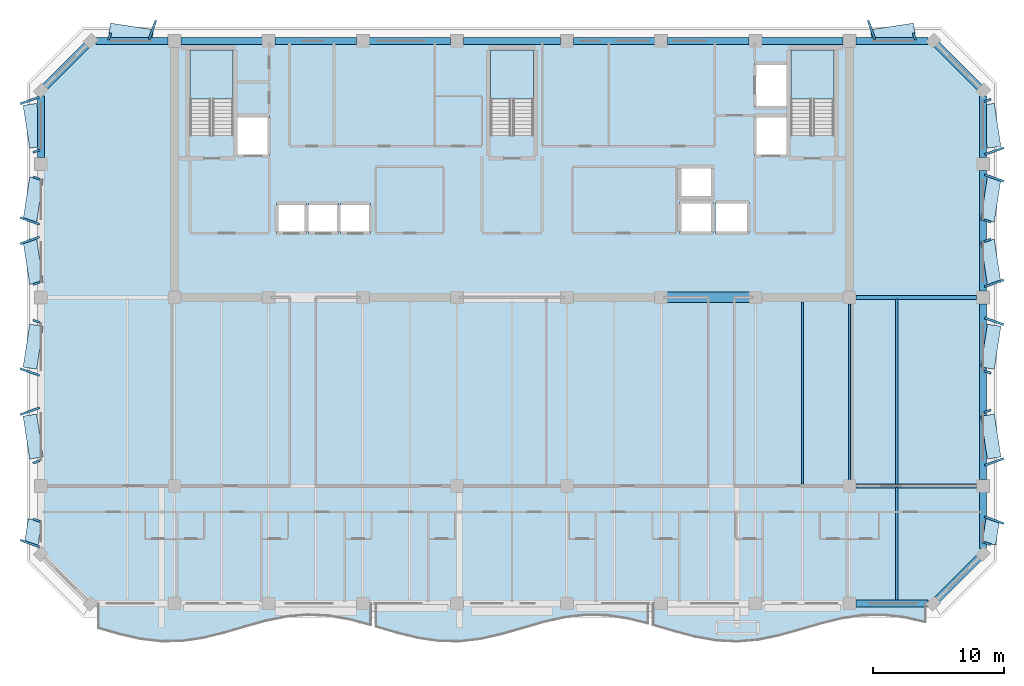
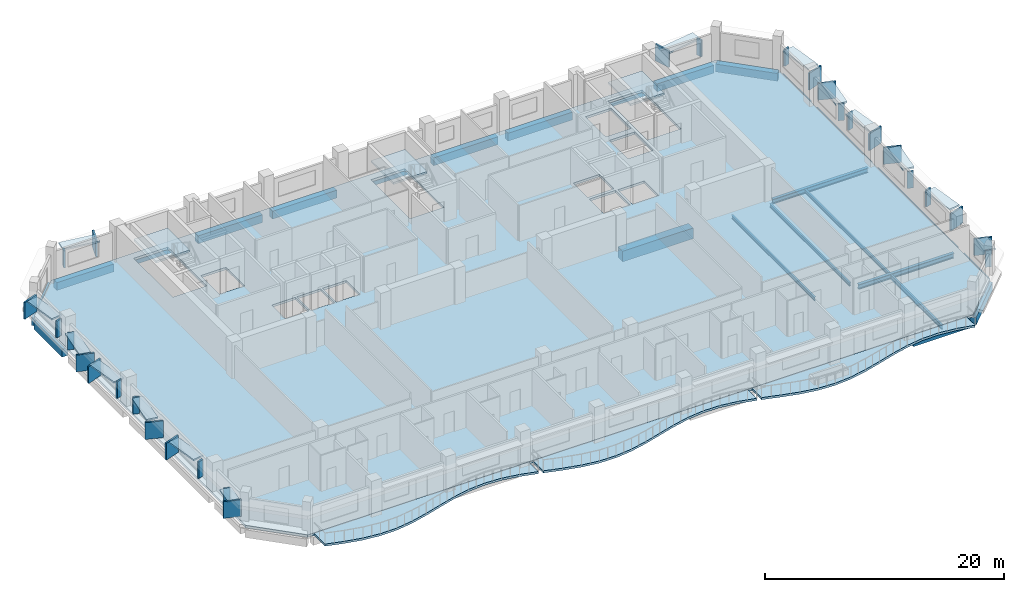
# One storey, part 2 of 11: 42 plates, 25 beams, 7 slabs, 3 elements without a shape of their own.
"""IFC4 building model written with IfcOpenShell, lengths in metres."""

from ifc_helpers import new_model, si_unit, direction, frame, origin, origin_2d, place, context, subcontext, project, spatial, polyline, rectangle, i_section, outline, extrude, material, layer, layer_set, material_profile, profile_set, type_object, element, aggregate, save


model = new_model("IFC4")

# Units and contexts
model_context = context("Model", 3, precision=1e-05, world=origin(), true_north=direction((0.0, 1.0)))
body_context = subcontext(model_context, "Body", "Model", "MODEL_VIEW")
ifc_project = project(units=[si_unit("LENGTHUNIT", "METRE"), si_unit("AREAUNIT", "SQUARE_METRE"), si_unit("VOLUMEUNIT", "CUBIC_METRE"), si_unit("PLANEANGLEUNIT", "RADIAN"), si_unit("MASSUNIT", "GRAM", prefix="KILO")], contexts=[model_context])

# Site, building, storey
site_placement = place(None, origin())
site = spatial("IfcSite", under=ifc_project, at=site_placement, CompositionType="ELEMENT")
building_placement = place(site_placement, origin())
building = spatial("IfcBuilding", under=site, at=building_placement, Name="Kaelvorn Grand Hotel", CompositionType="ELEMENT")
storey_placement = place(building_placement, frame((0.0, 0.0, 241.0)))
storey = spatial("IfcBuildingStorey", under=building, at=storey_placement, Name="L59", CompositionType="ELEMENT", Elevation=241.0)

# Beams
ifc_material_1 = material(Name="Steel S355", Category="steel")
ifc_material_profile_1 = material_profile(ifc_material_1, i_section(OverallWidth=0.300048828125, OverallDepth=0.5, WebThickness=0.014404296875, FlangeThickness=0.028076171875, FilletRadius=0.027099609375, at=origin_2d()), Name="HEB 500")
ifc_profile_set_1 = profile_set([ifc_material_profile_1], Name="Steel S355")
beam_type_1 = type_object("IfcBeamType", Name="BM-G-HEB500-S355", PredefinedType="BEAM", material=ifc_profile_set_1)
for number, where, z_axis, x_axis, name in (
    (1, (68.284912109375, 15.0, -0.489990234375), (1.0, 0.0, 0.0), (0.0, 1.0, 0.0), "L59 Primary Spine Steel Girder G-15 05"),
    (2, (68.284912109375, 29.39990234375, -0.489990234375), (1.0, 0.0, 0.0), (0.0, 1.0, 0.0), "L59 East Core Wing Steel Girder G-29E 01"),
):
    element("IfcBeam", number, at=place(storey_placement, frame(where, z_axis=z_axis, x_axis=x_axis)), inside=storey, type_object=beam_type_1, Name=name, PredefinedType="BEAM", context=body_context, shape_type="SweptSolid", body=[
        extrude(i_section(OverallWidth=0.300048828125, OverallDepth=0.5, WebThickness=0.014404296875, FlangeThickness=0.028076171875, FilletRadius=0.027099609375, at=origin_2d()), origin(), (0.0, 0.0, 1.0), 9.22998046875),
    ])
ifc_material_profile_2 = material_profile(ifc_material_1, i_section(OverallWidth=0.169921875, OverallDepth=0.360107421875, WebThickness=0.008056640625, FlangeThickness=0.0126953125, FilletRadius=0.01806640625, at=origin_2d()), Name="IPE 360")
ifc_profile_set_2 = profile_set([ifc_material_profile_2], Name="Steel S355")
beam_type_2 = type_object("IfcBeamType", Name="BM-J-IPE360-S355", PredefinedType="JOIST", material=ifc_profile_set_2)
beam_1_placement = place(storey_placement, frame((64.199951171875, 15.135009765625, -0.419921875), z_axis=(0.0, 1.0, 0.0), x_axis=(-1.0, 0.0, 0.0)))
element("IfcBeam", 3, at=beam_1_placement, inside=storey, type_object=beam_type_2, Name="L59 Composite Floor Joist JM-18", PredefinedType="JOIST", context=body_context, shape_type="SweptSolid", body=[
    extrude(i_section(OverallWidth=0.169921875, OverallDepth=0.360107421875, WebThickness=0.008056640625, FlangeThickness=0.0126953125, FilletRadius=0.01806640625, at=origin_2d()), origin(), (0.0, 0.0, 1.0), 13.925048828125),
])
beam_2_placement = place(storey_placement, frame((67.800048828125, 15.485107421875, -0.419921875), z_axis=(0.0, 1.0, 0.0), x_axis=(-1.0, 0.0, 0.0)))
element("IfcBeam", 4, at=beam_2_placement, inside=storey, type_object=beam_type_2, Name="L59 Composite Floor Joist JM-19", PredefinedType="JOIST", context=body_context, shape_type="SweptSolid", body=[
    extrude(i_section(OverallWidth=0.169921875, OverallDepth=0.360107421875, WebThickness=0.008056640625, FlangeThickness=0.0126953125, FilletRadius=0.01806640625, at=origin_2d()), origin(), (0.0, 0.0, 1.0), 13.429931640625),
])
beam_3_placement = place(storey_placement, frame((71.39990234375, 15.135009765625, -0.419921875), z_axis=(0.0, 1.0, 0.0), x_axis=(-1.0, 0.0, 0.0)))
element("IfcBeam", 5, at=beam_3_placement, inside=storey, type_object=beam_type_2, Name="L59 Composite Floor Joist JM-20", PredefinedType="JOIST", context=body_context, shape_type="SweptSolid", body=[
    extrude(i_section(OverallWidth=0.169921875, OverallDepth=0.360107421875, WebThickness=0.008056640625, FlangeThickness=0.0126953125, FilletRadius=0.01806640625, at=origin_2d()), origin(), (0.0, 0.0, 1.0), 14.1298828125),
])
ifc_material_profile_3 = material_profile(ifc_material_1, i_section(OverallWidth=0.18994140625, OverallDepth=0.449951171875, WebThickness=0.009521484375, FlangeThickness=0.0146484375, FilletRadius=0.02099609375, at=origin_2d()), Name="IPE 450")
ifc_profile_set_3 = profile_set([ifc_material_profile_3], Name="Steel S355")
beam_type_3 = type_object("IfcBeamType", Name="BM-J-IPE450-S355", PredefinedType="JOIST", material=ifc_profile_set_3)
beam_4_placement = place(storey_placement, frame((71.39990234375, 6.260009765625, -0.465087890625), z_axis=(0.0, 1.0, 0.0), x_axis=(-1.0, 0.0, 0.0)))
element("IfcBeam", 6, at=beam_4_placement, inside=storey, type_object=beam_type_3, Name="L59 Composite Floor Joist JS-20", PredefinedType="JOIST", context=body_context, shape_type="SweptSolid", body=[
    extrude(i_section(OverallWidth=0.18994140625, OverallDepth=0.449951171875, WebThickness=0.009521484375, FlangeThickness=0.0146484375, FilletRadius=0.02099609375, at=origin_2d()), origin(), (0.0, 0.0, 1.0), 8.60498046875),
])
ifc_material_2 = material(Name="Concrete C60/75", Category="concrete")
ifc_material_profile_4 = material_profile(ifc_material_2, rectangle(XDim=0.800048828125, YDim=1.10009765625, at=origin_2d()), Name="RC LINTEL 800x1100")
ifc_profile_set_4 = profile_set([ifc_material_profile_4], Name="Concrete C60/75")
beam_type_4 = type_object("IfcBeamType", Name="BM-LIN-800x1100-C60", PredefinedType="LINTEL", material=ifc_profile_set_4)
beam_5_placement = place(storey_placement, frame((53.580078125, 29.39990234375, -0.7900390625), z_axis=(1.0, 0.0, 0.0), x_axis=(0.0, 1.0, 0.0)))
element("IfcBeam", 7, at=beam_5_placement, inside=storey, type_object=beam_type_4, Name="L59 Rear-Core Coupling Lintel Beam CB1-03", PredefinedType="LINTEL", context=body_context, shape_type="SweptSolid", body=[
    extrude(rectangle(XDim=0.800048828125, YDim=1.10009765625, at=origin_2d()), origin(), (0.0, 0.0, 1.0), 6.83984375),
])
ifc_material_3 = material(Name="Concrete C50/60", Category="concrete")
ifc_material_profile_5 = material_profile(ifc_material_3, rectangle(XDim=0.550048828125, YDim=0.800048828125, at=origin_2d()), Name="RC SPANDREL 550x800")
ifc_profile_set_5 = profile_set([ifc_material_profile_5], Name="Concrete C50/60")
beam_type_5 = type_object("IfcBeamType", Name="BM-SP-550x800-C50", PredefinedType="SPANDREL", material=ifc_profile_set_5)
for number, where, z_axis, x_axis, name in (
    (8, (68.284912109375, 6.0, -0.639892578125), (1.0, 0.0, 0.0), (0.0, 1.0, 0.0), "L59 South Perimeter Spandrel 09"),
    (9, (10.205078125, 49.0, -0.639892578125), (1.0, 0.0, 0.0), (0.0, 1.0, 0.0), "L59 North Perimeter Spandrel 01"),
):
    element("IfcBeam", number, at=place(storey_placement, frame(where, z_axis=z_axis, x_axis=x_axis)), inside=storey, type_object=beam_type_5, Name=name, PredefinedType="SPANDREL", context=body_context, shape_type="SweptSolid", body=[
        extrude(rectangle(XDim=0.550048828125, YDim=0.800048828125, at=origin_2d()), origin(), (0.0, 0.0, 1.0), 5.510009765625),
    ])
for number, where, z_axis, x_axis, name in (
    (10, (16.68505859375, 49.0, -0.639892578125), (1.0, 0.0, 0.0), (0.0, 1.0, 0.0), "L59 North Perimeter Spandrel 02"),
    (11, (23.885009765625, 49.0, -0.639892578125), (1.0, 0.0, 0.0), (0.0, 1.0, 0.0), "L59 North Perimeter Spandrel 03"),
    (12, (31.0849609375, 49.0, -0.639892578125), (1.0, 0.0, 0.0), (0.0, 1.0, 0.0), "L59 North Perimeter Spandrel 04"),
):
    element("IfcBeam", number, at=place(storey_placement, frame(where, z_axis=z_axis, x_axis=x_axis)), inside=storey, type_object=beam_type_5, Name=name, PredefinedType="SPANDREL", context=body_context, shape_type="SweptSolid", body=[
        extrude(rectangle(XDim=0.550048828125, YDim=0.800048828125, at=origin_2d()), origin(), (0.0, 0.0, 1.0), 6.22998046875),
    ])
beam_6_placement = place(storey_placement, frame((38.284912109375, 49.0, -0.639892578125), z_axis=(1.0, 0.0, 0.0), x_axis=(0.0, 1.0, 0.0)))
element("IfcBeam", 13, at=beam_6_placement, inside=storey, type_object=beam_type_5, Name="L59 North Perimeter Spandrel 05", PredefinedType="SPANDREL", context=body_context, shape_type="SweptSolid", body=[
    extrude(rectangle(XDim=0.550048828125, YDim=0.800048828125, at=origin_2d()), origin(), (0.0, 0.0, 1.0), 7.43017578125),
])
for number, where, z_axis, x_axis, name in (
    (14, (46.68505859375, 49.0, -0.639892578125), (1.0, 0.0, 0.0), (0.0, 1.0, 0.0), "L59 North Perimeter Spandrel 06"),
    (15, (53.885009765625, 49.0, -0.639892578125), (1.0, 0.0, 0.0), (0.0, 1.0, 0.0), "L59 North Perimeter Spandrel 07"),
    (16, (61.0849609375, 49.0, -0.639892578125), (1.0, 0.0, 0.0), (0.0, 1.0, 0.0), "L59 North Perimeter Spandrel 08"),
):
    element("IfcBeam", number, at=place(storey_placement, frame(where, z_axis=z_axis, x_axis=x_axis)), inside=storey, type_object=beam_type_5, Name=name, PredefinedType="SPANDREL", context=body_context, shape_type="SweptSolid", body=[
        extrude(rectangle(XDim=0.550048828125, YDim=0.800048828125, at=origin_2d()), origin(), (0.0, 0.0, 1.0), 6.22998046875),
    ])
beam_7_placement = place(storey_placement, frame((68.284912109375, 49.0, -0.639892578125), z_axis=(1.0, 0.0, 0.0), x_axis=(0.0, 1.0, 0.0)))
element("IfcBeam", 17, at=beam_7_placement, inside=storey, type_object=beam_type_5, Name="L59 North Perimeter Spandrel 09", PredefinedType="SPANDREL", context=body_context, shape_type="SweptSolid", body=[
    extrude(rectangle(XDim=0.550048828125, YDim=0.800048828125, at=origin_2d()), origin(), (0.0, 0.0, 1.0), 5.510009765625),
])
beam_8_placement = place(storey_placement, frame((6.0, 40.0849609375, -0.639892578125), z_axis=(0.0, 1.0, 0.0), x_axis=(-1.0, 0.0, 0.0)))
element("IfcBeam", 18, at=beam_8_placement, inside=storey, type_object=beam_type_5, Name="L59 West Perimeter Spandrel 04", PredefinedType="SPANDREL", context=body_context, shape_type="SweptSolid", body=[
    extrude(rectangle(XDim=0.550048828125, YDim=0.800048828125, at=origin_2d()), origin(), (0.0, 0.0, 1.0), 4.7099609375),
])
beam_9_placement = place(storey_placement, frame((78.0, 10.205078125, -0.639892578125), z_axis=(0.0, 1.0, 0.0), x_axis=(-1.0, 0.0, 0.0)))
element("IfcBeam", 19, at=beam_9_placement, inside=storey, type_object=beam_type_5, Name="L59 East Perimeter Spandrel 01", PredefinedType="SPANDREL", context=body_context, shape_type="SweptSolid", body=[
    extrude(rectangle(XDim=0.550048828125, YDim=0.800048828125, at=origin_2d()), origin(), (0.0, 0.0, 1.0), 4.309814453125),
])
beam_10_placement = place(storey_placement, frame((78.0, 15.485107421875, -0.639892578125), z_axis=(0.0, 1.0, 0.0), x_axis=(-1.0, 0.0, 0.0)))
element("IfcBeam", 20, at=beam_10_placement, inside=storey, type_object=beam_type_5, Name="L59 East Perimeter Spandrel 02", PredefinedType="SPANDREL", context=body_context, shape_type="SweptSolid", body=[
    extrude(rectangle(XDim=0.550048828125, YDim=0.800048828125, at=origin_2d()), origin(), (0.0, 0.0, 1.0), 13.429931640625),
])
beam_11_placement = place(storey_placement, frame((78.0, 29.885009765625, -0.639892578125), z_axis=(0.0, 1.0, 0.0), x_axis=(-1.0, 0.0, 0.0)))
element("IfcBeam", 21, at=beam_11_placement, inside=storey, type_object=beam_type_5, Name="L59 East Perimeter Spandrel 03", PredefinedType="SPANDREL", context=body_context, shape_type="SweptSolid", body=[
    extrude(rectangle(XDim=0.550048828125, YDim=0.800048828125, at=origin_2d()), origin(), (0.0, 0.0, 1.0), 9.22998046875),
])
beam_12_placement = place(storey_placement, frame((78.0, 40.0849609375, -0.639892578125), z_axis=(0.0, 1.0, 0.0), x_axis=(-1.0, 0.0, 0.0)))
element("IfcBeam", 22, at=beam_12_placement, inside=storey, type_object=beam_type_5, Name="L59 East Perimeter Spandrel 04", PredefinedType="SPANDREL", context=body_context, shape_type="SweptSolid", body=[
    extrude(rectangle(XDim=0.550048828125, YDim=0.800048828125, at=origin_2d()), origin(), (0.0, 0.0, 1.0), 4.7099609375),
])
for number, where, z_axis, x_axis, name in (
    (23, (74.199951171875, 6.0, -0.639892578125), (0.707106781187, 0.707106781187, 0.0), (-0.707106781187, 0.707106781187, 0.0), "L59 Chamfer Spandrel Beam 1"),
    (24, (78.0, 45.199951171875, -0.639892578125), (-0.707106781187, 0.707106781187, 0.0), (-0.707106781187, -0.707106781187, 0.0), "L59 Chamfer Spandrel Beam 2"),
    (25, (9.800048828125, 49.0, -0.639892578125), (-0.707106781187, -0.707106781187, 0.0), (0.707106781187, -0.707106781187, 0.0), "L59 Chamfer Spandrel Beam 3"),
):
    element("IfcBeam", number, at=place(storey_placement, frame(where, z_axis=z_axis, x_axis=x_axis)), inside=storey, type_object=beam_type_5, Name=name, PredefinedType="SPANDREL", context=body_context, shape_type="SweptSolid", body=[
        extrude(rectangle(XDim=0.550048828125, YDim=0.800048828125, at=origin_2d()), origin(), (0.0, 0.0, 1.0), 5.3740234375),
    ])

# Plates
ifc_material_4 = material(Name="Precast concrete C45/55", Category="concrete")
ifc_layer_1 = layer(ifc_material_4, 0.159912109375)
ifc_layer_set_1 = layer_set([ifc_layer_1], Name="Precast concrete C45/55")
plate_type_1 = type_object("IfcPlateType", Name="PL-FRAME-DEEP-1550", PredefinedType="USERDEFINED", material=ifc_layer_set_1)
for number, where, z_axis, x_axis, name in (
    (26, (78.844970703125, 12.375, 0.68994140625), (0.0, 0.0, 1.0), (0.333806859234, 0.942641491092, 0.0), "L59 Tilted Precast Window Frame Fin R-E01"),
    (27, (78.844970703125, 16.824951171875, 0.81494140625), (0.0, 0.0, 1.0), (-0.333806859234, 0.942641491092, 0.0), "L59 Tilted Precast Window Frame Fin L-E02"),
    (28, (78.844970703125, 27.574951171875, 0.81494140625), (0.0, 0.0, 1.0), (0.333806859234, 0.942641491092, 0.0), "L59 Tilted Precast Window Frame Fin R-E03"),
    (29, (78.844970703125, 30.47509765625, 0.740234375), (0.0, 0.0, 1.0), (-0.333806859234, 0.942641491092, 0.0), "L59 Tilted Precast Window Frame Fin L-E04"),
    (30, (78.844970703125, 38.52490234375, 0.740234375), (0.0, 0.0, 1.0), (0.333806859234, 0.942641491092, 0.0), "L59 Tilted Precast Window Frame Fin R-E05"),
    (31, (78.844970703125, 40.574951171875, 0.81494140625), (0.0, 0.0, 1.0), (-0.333806859234, 0.942641491092, 0.0), "L59 Tilted Precast Window Frame Fin L-E06"),
    (32, (5.155029296875, 10.594970703125, 0.68994140625), (0.0, 0.0, 1.0), (0.333806859234, 0.942641491092, 0.0), "L59 Tilted Precast Window Frame Fin L-W01"),
    (33, (5.155029296875, 20.705078125, 0.81494140625), (0.0, 0.0, 1.0), (-0.333806859234, 0.942641491092, 0.0), "L59 Tilted Precast Window Frame Fin R-W02"),
    (34, (5.155029296875, 23.695068359375, 0.81494140625), (0.0, 0.0, 1.0), (0.333806859234, 0.942641491092, 0.0), "L59 Tilted Precast Window Frame Fin L-W03"),
    (35, (5.155029296875, 33.7548828125, 0.740234375), (0.0, 0.0, 1.0), (-0.333806859234, 0.942641491092, 0.0), "L59 Tilted Precast Window Frame Fin R-W04"),
    (36, (5.155029296875, 35.2451171875, 0.740234375), (0.0, 0.0, 1.0), (0.333806859234, 0.942641491092, 0.0), "L59 Tilted Precast Window Frame Fin L-W05"),
    (37, (5.155029296875, 44.455078125, 0.81494140625), (0.0, 0.0, 1.0), (-0.333806859234, 0.942641491092, 0.0), "L59 Tilted Precast Window Frame Fin R-W06"),
    (38, (14.52490234375, 49.844970703125, 0.740234375), (0.0, 0.0, 1.0), (0.942641491092, -0.333806859234, 0.0), "L59 Tilted Precast Window Frame Fin R-N01"),
    (39, (69.47509765625, 49.844970703125, 0.740234375), (0.0, 0.0, 1.0), (0.942641491092, 0.333806859234, 0.0), "L59 Tilted Precast Window Frame Fin L-N02"),
):
    element("IfcPlate", number, at=place(storey_placement, frame(where, z_axis=z_axis, x_axis=x_axis)), inside=storey, type_object=plate_type_1, Name=name, ObjectType="FLANGE_PLATE", PredefinedType="USERDEFINED", context=body_context, shape_type="SweptSolid", body=[
        extrude(rectangle(XDim=0.159912109375, YDim=1.550048828125, at=origin_2d()), origin(), (0.0, 0.0, 1.0), 1.719970703125),
    ])
ifc_layer_2 = layer(ifc_material_4, 0.159912109375)
ifc_layer_set_2 = layer_set([ifc_layer_2], Name="Precast concrete C45/55")
plate_type_2 = type_object("IfcPlateType", Name="PL-FRAME-HEAD-1050", PredefinedType="USERDEFINED", material=ifc_layer_set_2)
plate_1_placement = place(storey_placement, frame((78.594970703125, 11.485107421875, 2.25), z_axis=(0.0, 0.0, 1.0), x_axis=(0.152554625759, 0.988295040036, 0.0)))
element("IfcPlate", 40, at=plate_1_placement, inside=storey, type_object=plate_type_2, Name="L59 Precast Window Frame Head Hood H-E01", ObjectType="FLANGE_PLATE", PredefinedType="USERDEFINED", context=body_context, shape_type="SweptSolid", body=[
    extrude(rectangle(XDim=1.860107421875, YDim=1.050048828125, at=origin_2d()), origin(), (0.0, 0.0, 1.0), 0.159912109375),
])
for number, where, z_axis, x_axis, name in (
    (41, (78.594970703125, 18.764892578125, 2.5), (0.0, 0.0, 1.0), (-0.152554625759, 0.988295040036, 0.0), "L59 Precast Window Frame Head Hood H-E02"),
    (42, (78.594970703125, 25.635009765625, 2.5), (0.0, 0.0, 1.0), (0.152554625759, 0.988295040036, 0.0), "L59 Precast Window Frame Head Hood H-E03"),
    (43, (78.594970703125, 32.114990234375, 2.35009765625), (0.0, 0.0, 1.0), (-0.152554625759, 0.988295040036, 0.0), "L59 Precast Window Frame Head Hood H-E04"),
    (44, (78.594970703125, 36.885009765625, 2.35009765625), (0.0, 0.0, 1.0), (0.152554625759, 0.988295040036, 0.0), "L59 Precast Window Frame Head Hood H-E05"),
    (45, (78.594970703125, 42.514892578125, 2.5), (0.0, 0.0, 1.0), (-0.152554625759, 0.988295040036, 0.0), "L59 Precast Window Frame Head Hood H-E06"),
):
    element("IfcPlate", number, at=place(storey_placement, frame(where, z_axis=z_axis, x_axis=x_axis)), inside=storey, type_object=plate_type_2, Name=name, ObjectType="FLANGE_PLATE", PredefinedType="USERDEFINED", context=body_context, shape_type="SweptSolid", body=[
        extrude(rectangle(XDim=3.320068359375, YDim=1.050048828125, at=origin_2d()), origin(), (0.0, 0.0, 1.0), 0.159912109375),
    ])
plate_2_placement = place(storey_placement, frame((5.405029296875, 11.485107421875, 2.25), z_axis=(0.0, 0.0, 1.0), x_axis=(0.152554625759, 0.988295040036, 0.0)))
element("IfcPlate", 46, at=plate_2_placement, inside=storey, type_object=plate_type_2, Name="L59 Precast Window Frame Head Hood H-W01", ObjectType="FLANGE_PLATE", PredefinedType="USERDEFINED", context=body_context, shape_type="SweptSolid", body=[
    extrude(rectangle(XDim=1.860107421875, YDim=1.050048828125, at=origin_2d()), origin(), (0.0, 0.0, 1.0), 0.159912109375),
])
for number, where, z_axis, x_axis, name in (
    (47, (5.405029296875, 18.764892578125, 2.5), (0.0, 0.0, 1.0), (-0.152554625759, 0.988295040036, 0.0), "L59 Precast Window Frame Head Hood H-W02"),
    (48, (5.405029296875, 25.635009765625, 2.5), (0.0, 0.0, 1.0), (0.152554625759, 0.988295040036, 0.0), "L59 Precast Window Frame Head Hood H-W03"),
    (49, (5.405029296875, 32.114990234375, 2.35009765625), (0.0, 0.0, 1.0), (-0.152554625759, 0.988295040036, 0.0), "L59 Precast Window Frame Head Hood H-W04"),
    (50, (5.405029296875, 36.885009765625, 2.35009765625), (0.0, 0.0, 1.0), (0.152554625759, 0.988295040036, 0.0), "L59 Precast Window Frame Head Hood H-W05"),
    (51, (5.405029296875, 42.514892578125, 2.5), (0.0, 0.0, 1.0), (-0.152554625759, 0.988295040036, 0.0), "L59 Precast Window Frame Head Hood H-W06"),
    (52, (12.885009765625, 49.594970703125, 2.35009765625), (0.0, 0.0, 1.0), (0.988295040036, -0.152554625759, 0.0), "L59 Precast Window Frame Head Hood H-N01"),
    (53, (71.114990234375, 49.594970703125, 2.35009765625), (0.0, 0.0, 1.0), (0.988295040036, 0.152554625759, 0.0), "L59 Precast Window Frame Head Hood H-N02"),
):
    element("IfcPlate", number, at=place(storey_placement, frame(where, z_axis=z_axis, x_axis=x_axis)), inside=storey, type_object=plate_type_2, Name=name, ObjectType="FLANGE_PLATE", PredefinedType="USERDEFINED", context=body_context, shape_type="SweptSolid", body=[
        extrude(rectangle(XDim=3.320068359375, YDim=1.050048828125, at=origin_2d()), origin(), (0.0, 0.0, 1.0), 0.159912109375),
    ])
ifc_layer_3 = layer(ifc_material_4, 0.159912109375)
ifc_layer_set_3 = layer_set([ifc_layer_3], Name="Precast concrete C45/55")
plate_type_3 = type_object("IfcPlateType", Name="PL-FRAME-SHAL-550", PredefinedType="USERDEFINED", material=ifc_layer_set_3)
for number, where, z_axis, x_axis, name in (
    (54, (78.344970703125, 10.594970703125, 0.68994140625), (0.0, 0.0, 1.0), (0.333806859234, 0.942641491092, 0.0), "L59 Tilted Precast Window Frame Fin L-E01"),
    (55, (78.344970703125, 20.705078125, 0.81494140625), (0.0, 0.0, 1.0), (-0.333806859234, 0.942641491092, 0.0), "L59 Tilted Precast Window Frame Fin R-E02"),
    (56, (78.344970703125, 23.695068359375, 0.81494140625), (0.0, 0.0, 1.0), (0.333806859234, 0.942641491092, 0.0), "L59 Tilted Precast Window Frame Fin L-E03"),
    (57, (78.344970703125, 33.7548828125, 0.740234375), (0.0, 0.0, 1.0), (-0.333806859234, 0.942641491092, 0.0), "L59 Tilted Precast Window Frame Fin R-E04"),
    (58, (78.344970703125, 35.2451171875, 0.740234375), (0.0, 0.0, 1.0), (0.333806859234, 0.942641491092, 0.0), "L59 Tilted Precast Window Frame Fin L-E05"),
    (59, (78.344970703125, 44.455078125, 0.81494140625), (0.0, 0.0, 1.0), (-0.333806859234, 0.942641491092, 0.0), "L59 Tilted Precast Window Frame Fin R-E06"),
    (60, (5.655029296875, 12.375, 0.68994140625), (0.0, 0.0, 1.0), (0.333806859234, 0.942641491092, 0.0), "L59 Tilted Precast Window Frame Fin R-W01"),
    (61, (5.655029296875, 16.824951171875, 0.81494140625), (0.0, 0.0, 1.0), (-0.333806859234, 0.942641491092, 0.0), "L59 Tilted Precast Window Frame Fin L-W02"),
    (62, (5.655029296875, 27.574951171875, 0.81494140625), (0.0, 0.0, 1.0), (0.333806859234, 0.942641491092, 0.0), "L59 Tilted Precast Window Frame Fin R-W03"),
    (63, (5.655029296875, 30.47509765625, 0.740234375), (0.0, 0.0, 1.0), (-0.333806859234, 0.942641491092, 0.0), "L59 Tilted Precast Window Frame Fin L-W04"),
    (64, (5.655029296875, 38.52490234375, 0.740234375), (0.0, 0.0, 1.0), (0.333806859234, 0.942641491092, 0.0), "L59 Tilted Precast Window Frame Fin R-W05"),
    (65, (5.655029296875, 40.574951171875, 0.81494140625), (0.0, 0.0, 1.0), (-0.333806859234, 0.942641491092, 0.0), "L59 Tilted Precast Window Frame Fin L-W06"),
    (66, (11.2451171875, 49.344970703125, 0.740234375), (0.0, 0.0, 1.0), (0.942641491092, -0.333806859234, 0.0), "L59 Tilted Precast Window Frame Fin L-N01"),
    (67, (72.7548828125, 49.344970703125, 0.740234375), (0.0, 0.0, 1.0), (0.942641491092, 0.333806859234, 0.0), "L59 Tilted Precast Window Frame Fin R-N02"),
):
    element("IfcPlate", number, at=place(storey_placement, frame(where, z_axis=z_axis, x_axis=x_axis)), inside=storey, type_object=plate_type_3, Name=name, ObjectType="FLANGE_PLATE", PredefinedType="USERDEFINED", context=body_context, shape_type="SweptSolid", body=[
        extrude(rectangle(XDim=0.159912109375, YDim=0.550048828125, at=origin_2d()), origin(), (0.0, 0.0, 1.0), 1.719970703125),
    ])

# Slabs
ifc_material_5 = material(Name="Concrete C40/50", Category="concrete")
ifc_layer_4 = layer(ifc_material_5, 0.219970703125)
ifc_layer_set_4 = layer_set([ifc_layer_4], Name="Concrete C40/50")
slab_type_1 = type_object("IfcSlabType", Name="SLB-BALC-220-C40", PredefinedType="FLOOR", material=ifc_layer_set_4)
slab_1_placement = place(storey_placement, frame((0.0, 0.0, -0.219970703125)))
element("IfcSlab", 68, at=slab_1_placement, inside=storey, type_object=slab_type_1, Name="L59 Scalloped Wave Balcony Slab 1", PredefinedType="FLOOR", context=body_context, shape_type="SweptSolid", body=[
    extrude(outline(polyline([(10.39990234375, 4.125), (12.0, 3.6650390625), (13.60009765625, 3.302734375), (15.199951171875, 3.115478515625), (16.800048828125, 3.14306640625), (18.39990234375, 3.37939453125), (20.0, 3.7744140625), (21.60009765625, 4.243896484375), (23.199951171875, 4.688232421875), (24.800048828125, 5.0126953125), (26.39990234375, 5.148193359375), (28.0, 5.066162109375), (29.60009765625, 4.783935546875), (31.199951171875, 4.361328125), (31.199951171875, 6.0), (10.39990234375, 6.0), (10.39990234375, 4.125)])), origin(), (0.0, 0.0, 1.0), 0.219970703125),
])
slab_2_placement = place(storey_placement, frame((0.0, 0.0, -0.219970703125)))
element("IfcSlab", 69, at=slab_2_placement, inside=storey, type_object=slab_type_1, Name="L59 Scalloped Wave Balcony Slab 2", PredefinedType="FLOOR", context=body_context, shape_type="SweptSolid", body=[
    extrude(outline(polyline([(31.60009765625, 4.243896484375), (33.199951171875, 3.7744140625), (34.800048828125, 3.37939453125), (36.39990234375, 3.14306640625), (38.0, 3.115478515625), (39.60009765625, 3.302734375), (41.199951171875, 3.6650390625), (42.800048828125, 4.125), (44.39990234375, 4.5849609375), (46.0, 4.947265625), (47.60009765625, 5.134521484375), (49.199951171875, 5.10693359375), (50.800048828125, 4.87060546875), (52.39990234375, 4.4755859375), (52.39990234375, 6.0), (31.60009765625, 6.0), (31.60009765625, 4.243896484375)])), origin(), (0.0, 0.0, 1.0), 0.219970703125),
])
slab_3_placement = place(storey_placement, frame((0.0, 0.0, -0.219970703125)))
element("IfcSlab", 70, at=slab_3_placement, inside=storey, type_object=slab_type_1, Name="L59 Scalloped Wave Balcony Slab 3", PredefinedType="FLOOR", context=body_context, shape_type="SweptSolid", body=[
    extrude(outline(polyline([(52.800048828125, 4.361328125), (54.39990234375, 3.888671875), (56.0, 3.466064453125), (57.60009765625, 3.183837890625), (59.199951171875, 3.101806640625), (60.800048828125, 3.2373046875), (62.39990234375, 3.561767578125), (64.0, 4.006103515625), (65.60009765625, 4.4755859375), (67.199951171875, 4.87060546875), (68.800048828125, 5.10693359375), (70.39990234375, 5.134521484375), (72.0, 4.947265625), (73.60009765625, 4.5849609375), (73.60009765625, 6.0), (52.800048828125, 6.0), (52.800048828125, 4.361328125)])), origin(), (0.0, 0.0, 1.0), 0.219970703125),
])
ifc_layer_5 = layer(ifc_material_5, 0.239990234375)
ifc_layer_set_5 = layer_set([ifc_layer_5], Name="Concrete C40/50")
slab_type_2 = type_object("IfcSlabType", Name="SLB-FLR-240-C40", PredefinedType="FLOOR", material=ifc_layer_set_5)
slab_4_placement = place(storey_placement, frame((0.0, 0.0, -0.239990234375)))
element("IfcSlab", 71, at=slab_4_placement, inside=storey, type_object=slab_type_2, Name="L59 Indoor Suspended Floor Slab", PredefinedType="FLOOR", context=body_context, shape_type="SweptSolid", body=[
    extrude(outline(polyline([(9.800048828125, 6.0), (74.199951171875, 6.0), (78.0, 9.800048828125), (78.0, 45.199951171875), (74.199951171875, 49.0), (9.800048828125, 49.0), (6.0, 45.199951171875), (6.0, 9.800048828125), (9.800048828125, 6.0)]), holes=[polyline([(17.39990234375, 41.760009765625), (17.39990234375, 48.300048828125), (20.679931640625, 48.300048828125), (20.679931640625, 41.760009765625), (17.39990234375, 41.760009765625)]), polyline([(40.360107421875, 41.760009765625), (40.360107421875, 48.300048828125), (43.639892578125, 48.300048828125), (43.639892578125, 41.760009765625), (40.360107421875, 41.760009765625)]), polyline([(63.320068359375, 41.760009765625), (63.320068359375, 48.300048828125), (66.60009765625, 48.300048828125), (66.60009765625, 41.760009765625), (63.320068359375, 41.760009765625)]), polyline([(24.0, 34.300048828125), (24.0, 36.60009765625), (26.300048828125, 36.60009765625), (26.300048828125, 34.300048828125), (24.0, 34.300048828125)]), polyline([(26.449951171875, 34.300048828125), (26.449951171875, 36.60009765625), (28.75, 36.60009765625), (28.75, 34.300048828125), (26.449951171875, 34.300048828125)]), polyline([(28.89990234375, 34.300048828125), (28.89990234375, 36.60009765625), (31.199951171875, 36.60009765625), (31.199951171875, 34.300048828125), (28.89990234375, 34.300048828125)]), polyline([(54.800048828125, 34.300048828125), (54.800048828125, 36.699951171875), (57.35009765625, 36.699951171875), (57.35009765625, 34.300048828125), (54.800048828125, 34.300048828125)]), polyline([(57.550048828125, 34.300048828125), (57.550048828125, 36.699951171875), (60.10009765625, 36.699951171875), (60.10009765625, 34.300048828125), (57.550048828125, 34.300048828125)]), polyline([(54.800048828125, 37.0), (54.800048828125, 39.39990234375), (57.35009765625, 39.39990234375), (57.35009765625, 37.0), (54.800048828125, 37.0)]), polyline([(21.0, 40.199951171875), (21.0, 43.300048828125), (23.449951171875, 43.300048828125), (23.449951171875, 40.199951171875), (21.0, 40.199951171875)]), polyline([(60.550048828125, 40.199951171875), (60.550048828125, 43.300048828125), (63.0, 43.300048828125), (63.0, 40.199951171875), (60.550048828125, 40.199951171875)]), polyline([(60.550048828125, 43.89990234375), (60.550048828125, 47.300048828125), (63.0, 47.300048828125), (63.0, 43.89990234375), (60.550048828125, 43.89990234375)])]), origin(), (0.0, 0.0, 1.0), 0.239990234375),
])

# Stair, slab
stair_type = type_object("IfcStairType", Name="STR-DOG-1560-R09", PredefinedType="HALF_TURN_STAIR", material=ifc_material_5)
stair_1_placement = place(storey_placement, origin())
stair_1 = element("IfcStair", 72, at=stair_1_placement, inside=storey, type_object=stair_type, Name="L59 West Core Exit Stair ST1", PredefinedType="HALF_TURN_STAIR")
ifc_layer_6 = layer(ifc_material_5, 0.199951171875)
ifc_layer_set_6 = layer_set([ifc_layer_6], Name="Concrete C40/50")
slab_type_3 = type_object("IfcSlabType", Name="SLB-LAND-200-C40", PredefinedType="LANDING", material=ifc_layer_set_6)
slab_5_placement = place(storey_placement, frame((0.0, 0.0, 1.77490234375)))
slab_5 = element("IfcSlab", 73, at=slab_5_placement, type_object=slab_type_3, Name="ST1 landing 1", PredefinedType="LANDING", context=body_context, shape_type="SweptSolid", body=[
    extrude(outline(polyline([(20.679931640625, 44.56005859375), (20.679931640625, 48.300048828125), (17.39990234375, 48.300048828125), (17.39990234375, 44.56005859375), (20.679931640625, 44.56005859375)])), origin(), (0.0, 0.0, 1.0), 0.2001953125),
])
aggregate(stair_1, [slab_5])

stair_2_placement = place(storey_placement, origin())
stair_2 = element("IfcStair", 74, at=stair_2_placement, inside=storey, type_object=stair_type, Name="L59 Central Core Exit Stair ST2", PredefinedType="HALF_TURN_STAIR")
slab_6_placement = place(storey_placement, frame((0.0, 0.0, 1.77490234375)))
slab_6 = element("IfcSlab", 75, at=slab_6_placement, type_object=slab_type_3, Name="ST2 landing 1", PredefinedType="LANDING", context=body_context, shape_type="SweptSolid", body=[
    extrude(outline(polyline([(43.639892578125, 44.56005859375), (43.639892578125, 48.300048828125), (40.360107421875, 48.300048828125), (40.360107421875, 44.56005859375), (43.639892578125, 44.56005859375)])), origin(), (0.0, 0.0, 1.0), 0.2001953125),
])
aggregate(stair_2, [slab_6])

stair_3_placement = place(storey_placement, origin())
stair_3 = element("IfcStair", 76, at=stair_3_placement, inside=storey, type_object=stair_type, Name="L59 East Core Exit Stair ST3", PredefinedType="HALF_TURN_STAIR")
slab_7_placement = place(storey_placement, frame((0.0, 0.0, 1.77490234375)))
slab_7 = element("IfcSlab", 77, at=slab_7_placement, type_object=slab_type_3, Name="ST3 landing 1", PredefinedType="LANDING", context=body_context, shape_type="SweptSolid", body=[
    extrude(outline(polyline([(66.60009765625, 44.56005859375), (66.60009765625, 48.300048828125), (63.320068359375, 48.300048828125), (63.320068359375, 44.56005859375), (66.60009765625, 44.56005859375)])), origin(), (0.0, 0.0, 1.0), 0.2001953125),
])
aggregate(stair_3, [slab_7])

save(model, "model.ifc")
